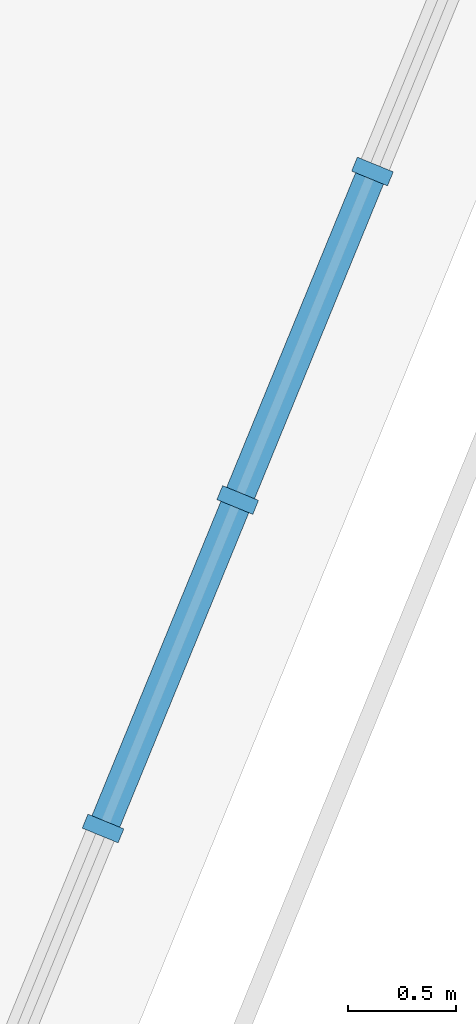
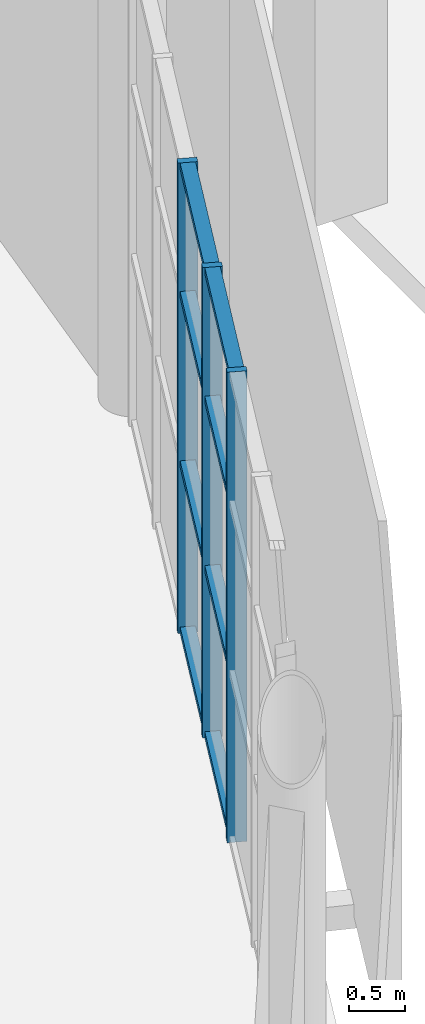
# One storey, part 15 of 40: 11 members, 1 element without a shape of its own.
"""IFC4 building model written with IfcOpenShell, lengths in metres."""

from ifc_helpers import new_model, si_unit, direction, frame, origin, origin_2d, place, context, subcontext, project, spatial, rectangle, extrude, material, material_profile, profile_set, type_object, element, aggregate, save


model = new_model("IFC4")

# Units and contexts
model_context = context("Model", 3, precision=1e-05, world=origin(), true_north=direction((0.0, 1.0)))
body_context = subcontext(model_context, "Body", "Model", "MODEL_VIEW")
ifc_project = project(units=[si_unit("LENGTHUNIT", "METRE"), si_unit("AREAUNIT", "SQUARE_METRE"), si_unit("VOLUMEUNIT", "CUBIC_METRE"), si_unit("PLANEANGLEUNIT", "RADIAN"), si_unit("MASSUNIT", "GRAM", prefix="KILO")], contexts=[model_context])

# Site, building, storey
site_placement = place(None, origin())
site = spatial("IfcSite", under=ifc_project, at=site_placement, CompositionType="ELEMENT")
building_placement = place(site_placement, origin())
building = spatial("IfcBuilding", under=site, at=building_placement, Name="Cuetzalor Civic Arena", CompositionType="ELEMENT")
storey_placement = place(building_placement, frame((0.0, 0.0, 26.39990234375)))
storey = spatial("IfcBuildingStorey", under=building, at=storey_placement, Name="L05", CompositionType="ELEMENT", Elevation=26.39990234375)

# Curtain wall, members
ifc_material_1 = material(Name="Anodised dark bronze aluminium and low-E solar glass", Category="aluminium")
curtain_wall_type = type_object("IfcCurtainWallType", Name="UnitisedCW_9850x5150", PredefinedType="USERDEFINED", material=ifc_material_1)
curtain_wall_placement = place(storey_placement, origin())
curtain_wall = element("IfcCurtainWall", 1, at=curtain_wall_placement, inside=storey, type_object=curtain_wall_type, Name="Drum Triangle Foyer Curtain Wall L05-080", ObjectType="UNITISED CURTAIN WALL", PredefinedType="USERDEFINED")
ifc_material_2 = material(Name="Anodised dark bronze aluminium", Category="aluminium")
ifc_material_profile_1 = material_profile(ifc_material_2, rectangle(XDim=0.070068359375, YDim=0.179931640625, at=origin_2d()), Name="ALU MULLION 70x180")
ifc_profile_set_1 = profile_set([ifc_material_profile_1], Name="Anodised dark bronze aluminium")
member_type_1 = type_object("IfcMemberType", Name="CurtainWallMullion_65x180", PredefinedType="MULLION", material=ifc_profile_set_1)
member_1_placement = place(storey_placement, frame((51.78955078125, -13.755126953125, 0.0), z_axis=(0.0, 0.0, 1.0), x_axis=(-0.379391428583, -0.925236263836, 0.0)))
member_1 = element("IfcMember", 2, at=member_1_placement, type_object=member_type_1, Name="CW-23 mullion 3", PredefinedType="MULLION", context=body_context, shape_type="SweptSolid", body=[
    extrude(rectangle(XDim=0.070068359375, YDim=0.179931640625, at=origin_2d()), origin(), (0.0, 0.0, 1.0), 5.135986328125),
])
member_2_placement = place(storey_placement, frame((51.1650390625, -15.27783203125, 0.0), z_axis=(0.0, 0.0, 1.0), x_axis=(-0.379391428583, -0.925236263836, 0.0)))
member_2 = element("IfcMember", 3, at=member_2_placement, type_object=member_type_1, Name="CW-23 mullion 4", PredefinedType="MULLION", context=body_context, shape_type="SweptSolid", body=[
    extrude(rectangle(XDim=0.070068359375, YDim=0.179931640625, at=origin_2d()), origin(), (0.0, 0.0, 1.0), 5.135986328125),
])
member_3_placement = place(storey_placement, frame((50.540771484375, -16.800537109375, 0.0), z_axis=(0.0, 0.0, 1.0), x_axis=(-0.379391428583, -0.925236263836, 0.0)))
member_3 = element("IfcMember", 4, at=member_3_placement, type_object=member_type_1, Name="CW-23 mullion 5", PredefinedType="MULLION", context=body_context, shape_type="SweptSolid", body=[
    extrude(rectangle(XDim=0.070068359375, YDim=0.179931640625, at=origin_2d()), origin(), (0.0, 0.0, 1.0), 5.135986328125),
])
ifc_material_3 = material(Name="Anodised dark bronze aluminium", Category="aluminium")
ifc_material_profile_2 = material_profile(ifc_material_3, rectangle(XDim=0.139892578125, YDim=0.070068359375, at=origin_2d()), Name="ALU TRANSOM 70x140")
ifc_profile_set_2 = profile_set([ifc_material_profile_2], Name="Anodised dark bronze aluminium")
member_type_2 = type_object("IfcMemberType", Name="CurtainWallTransom_65x140", PredefinedType="USERDEFINED", material=ifc_profile_set_2)
member_4_placement = place(storey_placement, frame((51.776123046875, -13.78759765625, 0.03515625), z_axis=(-0.379338688632, -0.925257888, 0.0), x_axis=(0.925257888, -0.379338688632, 0.0)))
member_4 = element("IfcMember", 5, at=member_4_placement, type_object=member_type_2, Name="CW-23 transom 3.1", ObjectType="TRANSOM", PredefinedType="USERDEFINED", context=body_context, shape_type="SweptSolid", body=[
    extrude(rectangle(XDim=0.139892578125, YDim=0.070068359375, at=origin_2d()), origin(), (0.0, 0.0, 1.0), 1.575439453125),
])
member_5_placement = place(storey_placement, frame((51.776123046875, -13.78759765625, 1.84912109375), z_axis=(-0.379338688632, -0.925257888, 0.0), x_axis=(0.925257888, -0.379338688632, 0.0)))
member_5 = element("IfcMember", 6, at=member_5_placement, type_object=member_type_2, Name="CW-23 transom 3.2", ObjectType="TRANSOM", PredefinedType="USERDEFINED", context=body_context, shape_type="SweptSolid", body=[
    extrude(rectangle(XDim=0.139892578125, YDim=0.070068359375, at=origin_2d()), origin(), (0.0, 0.0, 1.0), 1.575439453125),
])
member_6_placement = place(storey_placement, frame((51.776123046875, -13.78759765625, 3.697998046875), z_axis=(-0.379338688632, -0.925257888, 0.0), x_axis=(0.925257888, -0.379338688632, 0.0)))
member_6 = element("IfcMember", 7, at=member_6_placement, type_object=member_type_2, Name="CW-23 transom 3.3", ObjectType="TRANSOM", PredefinedType="USERDEFINED", context=body_context, shape_type="SweptSolid", body=[
    extrude(rectangle(XDim=0.139892578125, YDim=0.070068359375, at=origin_2d()), origin(), (0.0, 0.0, 1.0), 1.575439453125),
])
member_7_placement = place(storey_placement, frame((51.776123046875, -13.78759765625, 5.10107421875), z_axis=(-0.379338688632, -0.925257888, 0.0), x_axis=(0.925257888, -0.379338688632, 0.0)))
member_7 = element("IfcMember", 8, at=member_7_placement, type_object=member_type_2, Name="CW-23 transom 3.4", ObjectType="TRANSOM", PredefinedType="USERDEFINED", context=body_context, shape_type="SweptSolid", body=[
    extrude(rectangle(XDim=0.139892578125, YDim=0.070068359375, at=origin_2d()), origin(), (0.0, 0.0, 1.0), 1.575439453125),
])
member_8_placement = place(storey_placement, frame((51.15185546875, -15.310302734375, 0.03515625), z_axis=(-0.37947133734, -0.925203493367, 0.0), x_axis=(0.925203493367, -0.37947133734, 0.0)))
member_8 = element("IfcMember", 9, at=member_8_placement, type_object=member_type_2, Name="CW-23 transom 4.1", ObjectType="TRANSOM", PredefinedType="USERDEFINED", context=body_context, shape_type="SweptSolid", body=[
    extrude(rectangle(XDim=0.139892578125, YDim=0.070068359375, at=origin_2d()), origin(), (0.0, 0.0, 1.0), 1.57568359375),
])
member_9_placement = place(storey_placement, frame((51.15185546875, -15.310302734375, 1.84912109375), z_axis=(-0.37947133734, -0.925203493367, 0.0), x_axis=(0.925203493367, -0.37947133734, 0.0)))
member_9 = element("IfcMember", 10, at=member_9_placement, type_object=member_type_2, Name="CW-23 transom 4.2", ObjectType="TRANSOM", PredefinedType="USERDEFINED", context=body_context, shape_type="SweptSolid", body=[
    extrude(rectangle(XDim=0.139892578125, YDim=0.070068359375, at=origin_2d()), origin(), (0.0, 0.0, 1.0), 1.57568359375),
])
member_10_placement = place(storey_placement, frame((51.15185546875, -15.310302734375, 3.697998046875), z_axis=(-0.37947133734, -0.925203493367, 0.0), x_axis=(0.925203493367, -0.37947133734, 0.0)))
member_10 = element("IfcMember", 11, at=member_10_placement, type_object=member_type_2, Name="CW-23 transom 4.3", ObjectType="TRANSOM", PredefinedType="USERDEFINED", context=body_context, shape_type="SweptSolid", body=[
    extrude(rectangle(XDim=0.139892578125, YDim=0.070068359375, at=origin_2d()), origin(), (0.0, 0.0, 1.0), 1.57568359375),
])
member_11_placement = place(storey_placement, frame((51.15185546875, -15.310302734375, 5.10107421875), z_axis=(-0.37947133734, -0.925203493367, 0.0), x_axis=(0.925203493367, -0.37947133734, 0.0)))
member_11 = element("IfcMember", 12, at=member_11_placement, type_object=member_type_2, Name="CW-23 transom 4.4", ObjectType="TRANSOM", PredefinedType="USERDEFINED", context=body_context, shape_type="SweptSolid", body=[
    extrude(rectangle(XDim=0.139892578125, YDim=0.070068359375, at=origin_2d()), origin(), (0.0, 0.0, 1.0), 1.57568359375),
])
aggregate(curtain_wall, [member_1, member_2, member_3, member_4, member_5, member_6, member_7, member_8, member_9, member_10, member_11])

save(model, "model.ifc")
